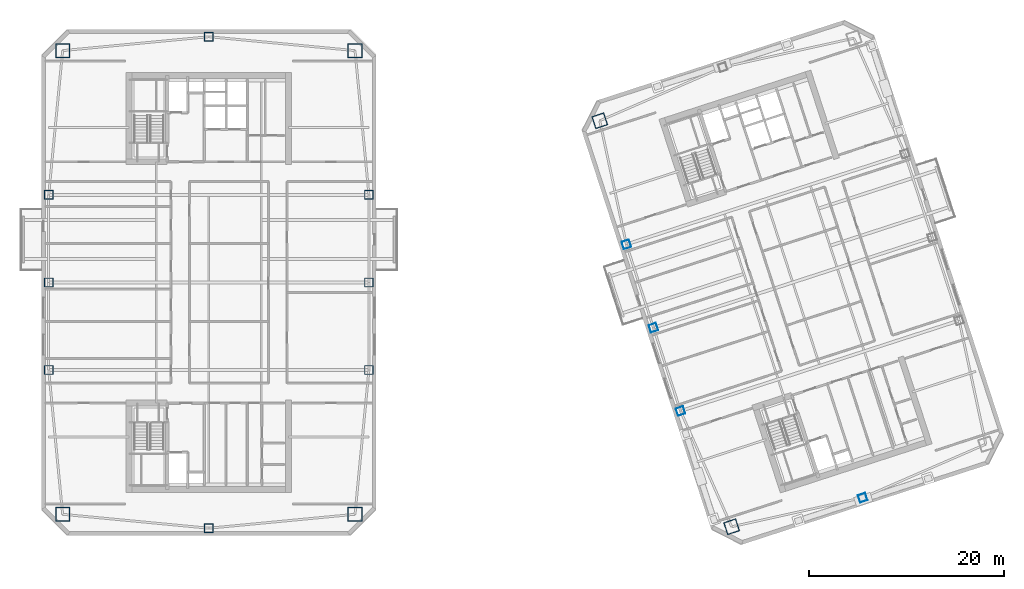
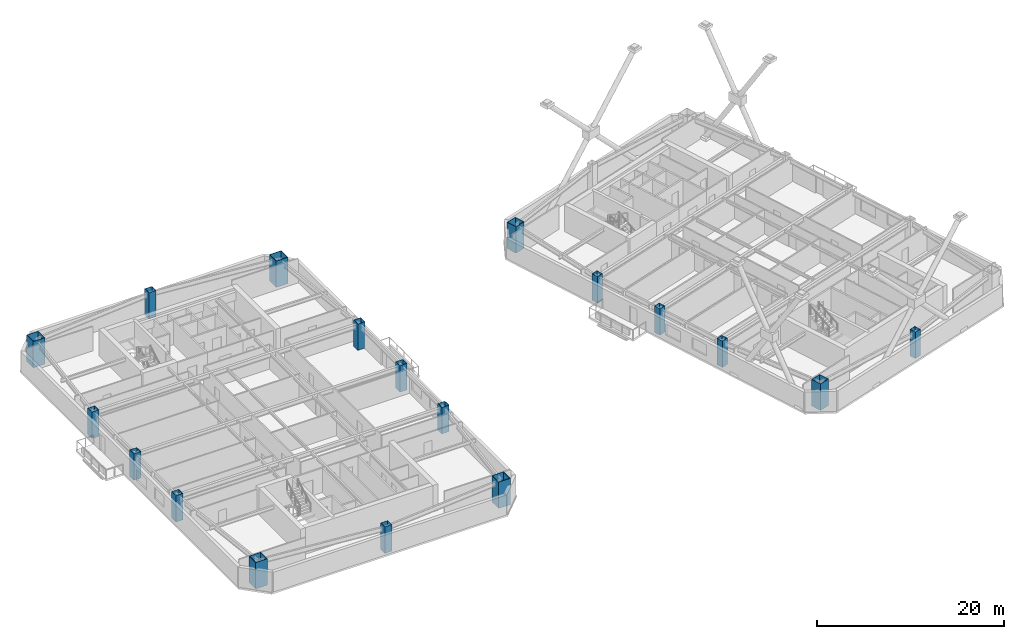
# One storey, part 1 of 17: 18 columns.
"""IFC4 building model written with IfcOpenShell, lengths in metres."""

from ifc_helpers import new_model, si_unit, direction, frame, origin, origin_2d, place, context, subcontext, project, spatial, hollow_rectangle, extrude, material, material_profile, profile_set, type_object, element, save


model = new_model("IFC4")

# Units and contexts
model_context = context("Model", 3, precision=1e-05, world=origin(), true_north=direction((0.0, 1.0)))
body_context = subcontext(model_context, "Body", "Model", "MODEL_VIEW")
ifc_project = project(units=[si_unit("LENGTHUNIT", "METRE"), si_unit("AREAUNIT", "SQUARE_METRE"), si_unit("VOLUMEUNIT", "CUBIC_METRE"), si_unit("PLANEANGLEUNIT", "RADIAN"), si_unit("MASSUNIT", "GRAM", prefix="KILO")], contexts=[model_context])

# Site, building, storey
site_placement = place(None, origin())
site = spatial("IfcSite", under=ifc_project, at=site_placement, CompositionType="ELEMENT")
building_placement = place(site_placement, origin())
building = spatial("IfcBuilding", under=site, at=building_placement, Name="Qiaolan Cultural Towers", CompositionType="ELEMENT")
storey_placement = place(building_placement, frame((0.0, 0.0, 177.10009765625)))
storey = spatial("IfcBuildingStorey", under=building, at=storey_placement, Name="L47", CompositionType="ELEMENT", Elevation=177.10009765625)

# Columns
ifc_material_1 = material(Name="Steel Q390GJB", Category="steel")
ifc_material_profile_1 = material_profile(ifc_material_1, hollow_rectangle(XDim=1.300048828125, YDim=1.300048828125, WallThickness=0.044921875, at=origin_2d()), Name="BOX1300x1300x45")
ifc_profile_set_1 = profile_set([ifc_material_profile_1], Name="Steel Q390GJB")
column_type_1 = type_object("IfcColumnType", Name="COL-BOX1300x1300x45", PredefinedType="COLUMN", material=ifc_profile_set_1)
for number, where, z_axis, x_axis, name in (
    (1, (83.71875, 8.900634765625, 0.0), (0.0, 0.0, 1.0), (0.951056516295, 0.309016994375, 0.0), "L47 T2 Perimeter Column MC-SW"),
    (2, (70.165283203125, 50.61376953125, 0.0), (0.0, 0.0, 1.0), (0.951056516295, 0.309016994375, 0.0), "L47 T2 Perimeter Column MC-NW"),
):
    element("IfcColumn", number, at=place(storey_placement, frame(where, z_axis=z_axis, x_axis=x_axis)), inside=storey, type_object=column_type_1, Name=name, PredefinedType="COLUMN", context=body_context, shape_type="SweptSolid", body=[
        extrude(hollow_rectangle(XDim=1.300048828125, YDim=1.300048828125, WallThickness=0.044921875, at=origin_2d()), origin(), (0.0, 0.0, 1.0), 3.450927734375),
    ])
ifc_material_2 = material(Name="Steel Q420GJB", Category="steel")
ifc_material_profile_2 = material_profile(ifc_material_2, hollow_rectangle(XDim=1.449951171875, YDim=1.449951171875, WallThickness=0.050048828125, at=origin_2d()), Name="BOX1450x1450x50")
ifc_profile_set_2 = profile_set([ifc_material_profile_2], Name="Steel Q420GJB")
column_type_2 = type_object("IfcColumnType", Name="COL-BOX1450x1450x50", PredefinedType="COLUMN", material=ifc_profile_set_2)
for number, where, z_axis, x_axis, name in (
    (3, (14.97998046875, 10.179931640625, 0.0), (0.0, 0.0, 1.0), (1.0, 0.0, 0.0), "L47 T1 Perimeter Column MC-SW"),
    (4, (45.02001953125, 10.179931640625, 0.0), (0.0, 0.0, 1.0), (1.0, 0.0, 0.0), "L47 T1 Perimeter Column MC-SE"),
    (5, (45.02001953125, 57.820068359375, 0.0), (0.0, 0.0, 1.0), (1.0, 0.0, 0.0), "L47 T1 Perimeter Column MC-NE"),
    (6, (14.97998046875, 57.820068359375, 0.0), (0.0, 0.0, 1.0), (1.0, 0.0, 0.0), "L47 T1 Perimeter Column MC-NW"),
):
    element("IfcColumn", number, at=place(storey_placement, frame(where, z_axis=z_axis, x_axis=x_axis)), inside=storey, type_object=column_type_2, Name=name, PredefinedType="COLUMN", context=body_context, shape_type="SweptSolid", body=[
        extrude(hollow_rectangle(XDim=1.449951171875, YDim=1.449951171875, WallThickness=0.050048828125, at=origin_2d()), origin(), (0.0, 0.0, 1.0), 3.450927734375),
    ])
ifc_material_3 = material(Name="Steel Q355B", Category="steel")
ifc_material_profile_3 = material_profile(ifc_material_3, hollow_rectangle(XDim=0.800048828125, YDim=0.800048828125, WallThickness=0.028076171875, at=origin_2d()), Name="BOX800x800x28")
ifc_profile_set_3 = profile_set([ifc_material_profile_3], Name="Steel Q355B")
column_type_3 = type_object("IfcColumnType", Name="COL-BOX800x800x28", PredefinedType="COLUMN", material=ifc_profile_set_3)
for number, where, z_axis, x_axis, name in (
    (7, (78.4677734375, 20.789794921875, 0.0), (0.0, 0.0, 1.0), (0.951056516295, 0.309016994375, 0.0), "L47 T2 Perimeter Column PC-W1"),
    (8, (75.6865234375, 29.349365234375, 0.0), (0.0, 0.0, 1.0), (0.951056516295, 0.309016994375, 0.0), "L47 T2 Perimeter Column PC-W2"),
    (9, (72.905517578125, 37.90869140625, 0.0), (0.0, 0.0, 1.0), (0.951056516295, 0.309016994375, 0.0), "L47 T2 Perimeter Column PC-W3"),
    (10, (97.1845703125, 11.887939453125, 0.0), (0.0, 0.0, 1.0), (0.951056516295, 0.309016994375, 0.0), "L47 T2 Perimeter Column PC-S0"),
):
    element("IfcColumn", number, at=place(storey_placement, frame(where, z_axis=z_axis, x_axis=x_axis)), inside=storey, type_object=column_type_3, Name=name, PredefinedType="COLUMN", context=body_context, shape_type="SweptSolid", body=[
        extrude(hollow_rectangle(XDim=0.800048828125, YDim=0.800048828125, WallThickness=0.028076171875, at=origin_2d()), origin(), (0.0, 0.0, 1.0), 3.450927734375),
    ])
ifc_material_4 = material(Name="Steel Q355B", Category="steel")
ifc_material_profile_4 = material_profile(ifc_material_4, hollow_rectangle(XDim=0.89990234375, YDim=0.89990234375, WallThickness=0.031982421875, at=origin_2d()), Name="BOX900x900x32")
ifc_profile_set_4 = profile_set([ifc_material_profile_4], Name="Steel Q355B")
column_type_4 = type_object("IfcColumnType", Name="COL-BOX900x900x32", PredefinedType="COLUMN", material=ifc_profile_set_4)
for number, where, z_axis, x_axis, name in (
    (11, (13.550048828125, 25.0, 0.0), (0.0, 0.0, 1.0), (1.0, 0.0, 0.0), "L47 T1 Perimeter Column PC-W1"),
    (12, (13.550048828125, 34.0, 0.0), (0.0, 0.0, 1.0), (1.0, 0.0, 0.0), "L47 T1 Perimeter Column PC-W2"),
    (13, (13.550048828125, 43.0, 0.0), (0.0, 0.0, 1.0), (1.0, 0.0, 0.0), "L47 T1 Perimeter Column PC-W3"),
    (14, (46.449951171875, 25.0, 0.0), (0.0, 0.0, 1.0), (1.0, 0.0, 0.0), "L47 T1 Perimeter Column PC-E1"),
    (15, (46.449951171875, 34.0, 0.0), (0.0, 0.0, 1.0), (1.0, 0.0, 0.0), "L47 T1 Perimeter Column PC-E2"),
    (16, (46.449951171875, 43.0, 0.0), (0.0, 0.0, 1.0), (1.0, 0.0, 0.0), "L47 T1 Perimeter Column PC-E3"),
    (17, (30.0, 8.75, 0.0), (0.0, 0.0, 1.0), (1.0, 0.0, 0.0), "L47 T1 Perimeter Column PC-S0"),
    (18, (30.0, 59.25, 0.0), (0.0, 0.0, 1.0), (1.0, 0.0, 0.0), "L47 T1 Perimeter Column PC-N0"),
):
    element("IfcColumn", number, at=place(storey_placement, frame(where, z_axis=z_axis, x_axis=x_axis)), inside=storey, type_object=column_type_4, Name=name, PredefinedType="COLUMN", context=body_context, shape_type="SweptSolid", body=[
        extrude(hollow_rectangle(XDim=0.89990234375, YDim=0.89990234375, WallThickness=0.031982421875, at=origin_2d()), origin(), (0.0, 0.0, 1.0), 3.450927734375),
    ])

save(model, "model.ifc")
